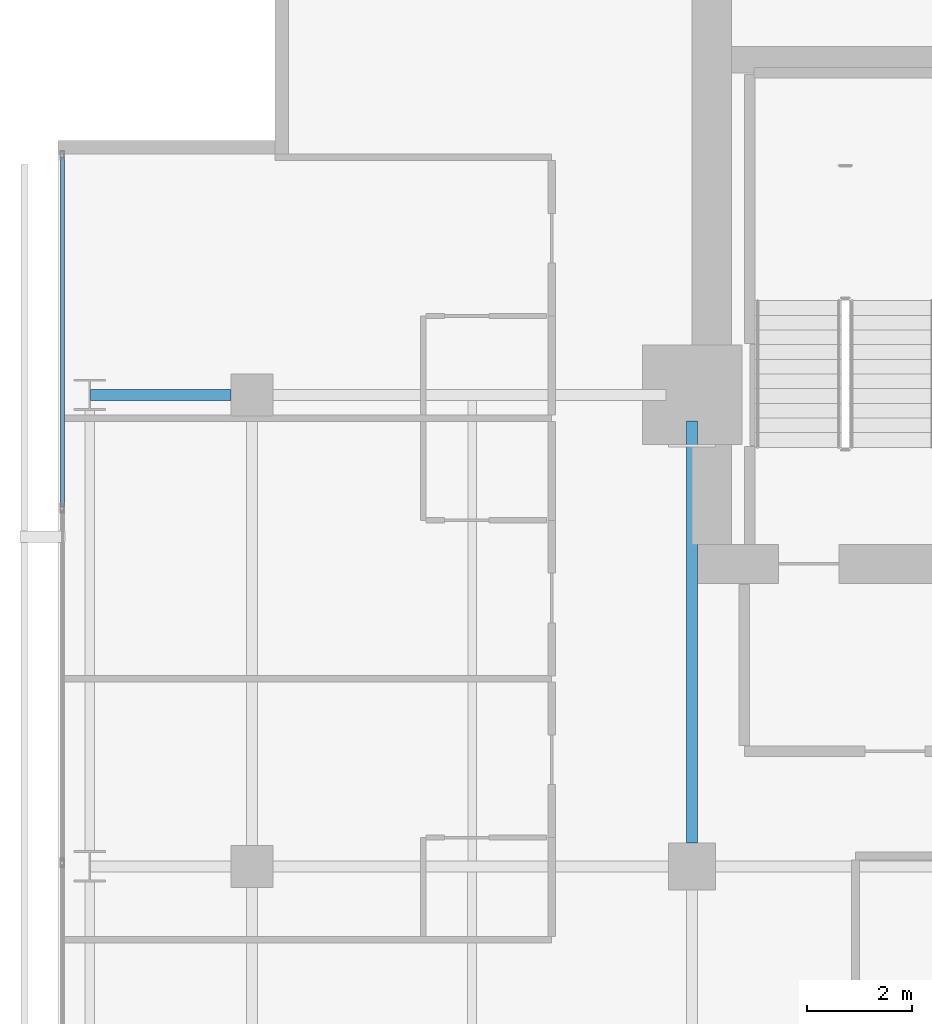
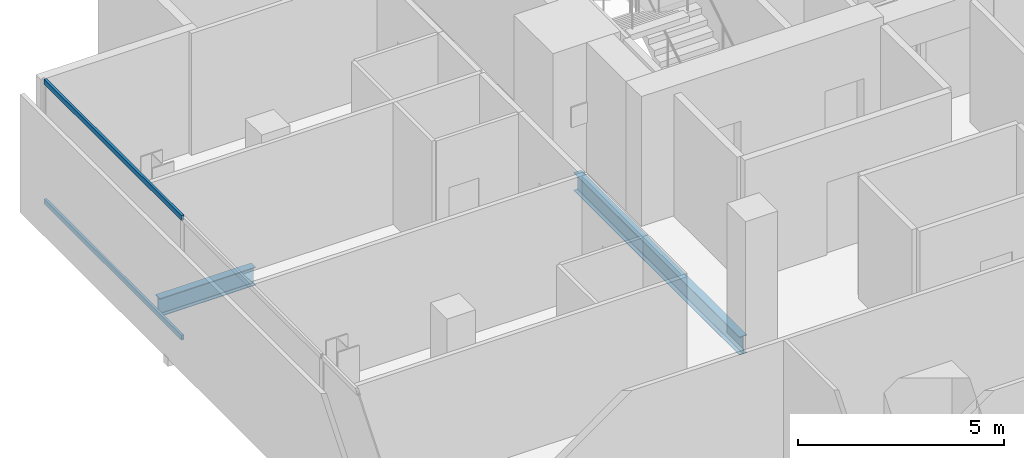
# One storey, part 19 of 34: 2 beams, 2 members, 1 element without a shape of its own.
"""IFC4 building model written with IfcOpenShell, lengths in metres."""

from ifc_helpers import new_model, si_unit, direction, frame, origin, origin_2d, place, context, subcontext, project, spatial, hollow_rectangle, i_section, extrude, material, layer, layer_set, material_profile, profile_set, type_object, element, aggregate, save


model = new_model("IFC4")

# Units and contexts
model_context = context("Model", 3, precision=1e-05, world=origin(), true_north=direction((0.0, 1.0)))
body_context = subcontext(model_context, "Body", "Model", "MODEL_VIEW")
ifc_project = project(units=[si_unit("LENGTHUNIT", "METRE"), si_unit("AREAUNIT", "SQUARE_METRE"), si_unit("VOLUMEUNIT", "CUBIC_METRE"), si_unit("PLANEANGLEUNIT", "RADIAN"), si_unit("MASSUNIT", "GRAM", prefix="KILO")], contexts=[model_context])

# Site, building, storey
site_placement = place(None, origin())
site = spatial("IfcSite", under=ifc_project, at=site_placement, CompositionType="ELEMENT")
building_placement = place(site_placement, origin())
building = spatial("IfcBuilding", under=site, at=building_placement, Name="Maruvema Waterfront Hotel and Observation Tower", CompositionType="ELEMENT")
storey_placement = place(building_placement, frame((0.0, 0.0, 208.25)))
storey = spatial("IfcBuildingStorey", under=building, at=storey_placement, Name="L51", CompositionType="ELEMENT", Elevation=208.25)

# Curtain wall, members
ifc_material_1 = material(Name="Anodised bronze aluminium and solar-control low-E IGU", Category="aluminium")
ifc_layer = layer(ifc_material_1, 0.159912109375, Name="Zone 2 Amber Inner Thermal Curtain Wall System CW-03")
ifc_layer_set = layer_set([ifc_layer], Name="Anodised bronze aluminium and solar-control low-E IGU")
curtain_wall_type = type_object("IfcCurtainWallType", Name="Zone 2 Amber Inner Thermal Curtain Wall System CW-03", PredefinedType="USERDEFINED", material=ifc_layer_set)
curtain_wall_placement = place(storey_placement, origin())
curtain_wall = element("IfcCurtainWall", 1, at=curtain_wall_placement, inside=storey, type_object=curtain_wall_type, Name="L51 Curtain Wall CW-L51-W", ObjectType="UNITISED CURTAIN WALL", PredefinedType="USERDEFINED")
ifc_material_2 = material(Name="Anodised architectural bronze aluminium", Category="aluminium")
ifc_material_profile_1 = material_profile(ifc_material_2, hollow_rectangle(XDim=0.070068359375, YDim=0.14990234375, WallThickness=0.00390625, at=origin_2d()), Name="ALU-T70x150")
ifc_profile_set_1 = profile_set([ifc_material_profile_1], Name="Anodised architectural bronze aluminium")
member_type = type_object("IfcMemberType", Name="Curtain Wall Horizontal Transom ALU-T70x150", PredefinedType="USERDEFINED", material=ifc_profile_set_1)
member_1_placement = place(storey_placement, frame((13.179931640625, 49.5400390625, 0.030029296875), z_axis=(0.0, -1.0, 0.0), x_axis=(1.0, 0.0, 0.0)))
member_1 = element("IfcMember", 2, at=member_1_placement, type_object=member_type, Name="CW-03 transom 1.1", ObjectType="TRANSOM", PredefinedType="USERDEFINED", context=body_context, shape_type="SweptSolid", body=[
    extrude(hollow_rectangle(XDim=0.070068359375, YDim=0.14990234375, WallThickness=0.00390625, at=origin_2d()), origin(), (0.0, 0.0, 1.0), 6.6767578125),
])
member_2_placement = place(storey_placement, frame((13.179931640625, 49.5400390625, 3.580078125), z_axis=(0.0, -1.0, 0.0), x_axis=(1.0, 0.0, 0.0)))
member_2 = element("IfcMember", 3, at=member_2_placement, type_object=member_type, Name="CW-03 transom 1.2", ObjectType="TRANSOM", PredefinedType="USERDEFINED", context=body_context, shape_type="SweptSolid", body=[
    extrude(hollow_rectangle(XDim=0.070068359375, YDim=0.14990234375, WallThickness=0.00390625, at=origin_2d()), origin(), (0.0, 0.0, 1.0), 6.6767578125),
])
aggregate(curtain_wall, [member_1, member_2])

# Beams
ifc_material_3 = material(Name="Steel ASTM A572 Grade 50", Category="steel")
ifc_material_profile_2 = material_profile(ifc_material_3, i_section(OverallWidth=0.2109375, OverallDepth=0.5390625, WebThickness=0.01171875, FlangeThickness=0.018798828125, FilletRadius=0.014892578125, at=origin_2d()), Name="W530x109.0")
ifc_profile_set_2 = profile_set([ifc_material_profile_2], Name="Steel ASTM A572 Grade 50")
beam_type = type_object("IfcBeamType", Name="Primary Floor Girder W530x109.0", PredefinedType="BEAM", material=ifc_profile_set_2)
beam_1_placement = place(storey_placement, frame((13.71240234375, 45.0, -0.509521484375), z_axis=(1.0, 0.0, 0.0), x_axis=(0.0, 1.0, 0.0)))
element("IfcBeam", 4, at=beam_1_placement, inside=storey, type_object=beam_type, Name="L51 Floor Girder EW-30", PredefinedType="BEAM", context=body_context, shape_type="SweptSolid", body=[
    extrude(i_section(OverallWidth=0.2109375, OverallDepth=0.5390625, WebThickness=0.01171875, FlangeThickness=0.018798828125, FilletRadius=0.014892578125, at=origin_2d()), origin(), (0.0, 0.0, 1.0), 2.6875),
])
beam_2_placement = place(storey_placement, frame((25.199951171875, 36.449951171875, -0.509521484375), z_axis=(0.0, 1.0, 0.0), x_axis=(-1.0, 0.0, 0.0)))
element("IfcBeam", 5, at=beam_2_placement, inside=storey, type_object=beam_type, Name="L51 Floor Girder NS-13", PredefinedType="BEAM", context=body_context, shape_type="SweptSolid", body=[
    extrude(i_section(OverallWidth=0.2109375, OverallDepth=0.5390625, WebThickness=0.01171875, FlangeThickness=0.018798828125, FilletRadius=0.014892578125, at=origin_2d()), origin(), (0.0, 0.0, 1.0), 8.050048828125),
])

save(model, "model.ifc")
